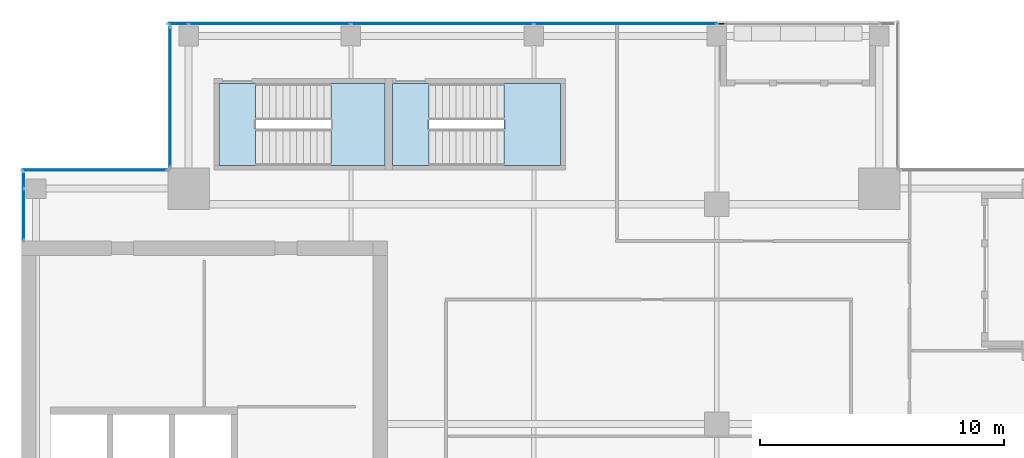
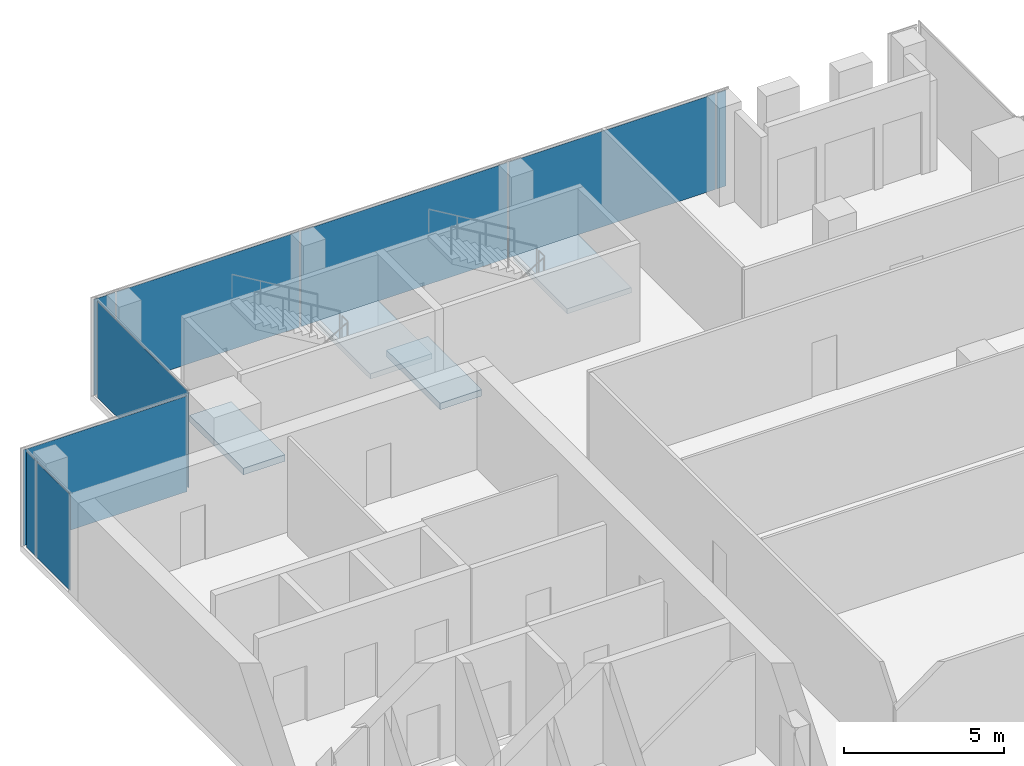
# One storey, part 23 of 29: 9 plates, 4 slabs, 6 elements without a shape of their own.
"""IFC4 building model written with IfcOpenShell, lengths in metres."""

from ifc_helpers import new_model, si_unit, direction, frame, origin, origin_2d, place, context, subcontext, project, spatial, polyline, rectangle, outline, extrude, source, transform, mapped, material, layer, layer_set, type_object, element, aggregate, save


model = new_model("IFC4")

# Units and contexts
model_context = context("Model", 3, precision=1e-05, world=origin(), true_north=direction((0.0, 1.0)))
body_context = subcontext(model_context, "Body", "Model", "MODEL_VIEW")
ifc_project = project(units=[si_unit("LENGTHUNIT", "METRE"), si_unit("AREAUNIT", "SQUARE_METRE"), si_unit("VOLUMEUNIT", "CUBIC_METRE"), si_unit("PLANEANGLEUNIT", "RADIAN"), si_unit("MASSUNIT", "GRAM", prefix="KILO")], contexts=[model_context])

# Site, building, storey
site_placement = place(None, origin())
site = spatial("IfcSite", under=ifc_project, at=site_placement, CompositionType="ELEMENT")
building_placement = place(site_placement, origin())
building = spatial("IfcBuilding", under=site, at=building_placement, Name="Khomas Fold Tower", CompositionType="ELEMENT")
storey_placement = place(building_placement, frame((0.0, 0.0, 310.199951171875)))
storey = spatial("IfcBuildingStorey", under=building, at=storey_placement, Name="L70", CompositionType="ELEMENT", Elevation=310.199951171875)

# Curtain wall, plate
ifc_material_1 = material(Name="Aluminium framed double glazing", Category="aluminium")
curtain_wall_type = type_object("IfcCurtainWallType", Name="SK-Unitised clear-glass wall, upper floors CW3", PredefinedType="NOTDEFINED", material=ifc_material_1)
curtain_wall_1_placement = place(storey_placement, origin())
curtain_wall_1 = element("IfcCurtainWall", 1, at=curtain_wall_1_placement, inside=storey, type_object=curtain_wall_type, Name="CW3 run L70 09-0", PredefinedType="NOTDEFINED")
ifc_material_2 = material(Name="Clear double glazed unit")
ifc_layer_1 = layer(ifc_material_2, 0.028076171875)
ifc_layer_set_1 = layer_set([ifc_layer_1], Name="Clear double glazed unit")
plate_type = type_object("IfcPlateType", Name="SK-Unitised clear-glass wall, upper floors glass panel CW3-P", PredefinedType="CURTAIN_PANEL", material=ifc_layer_set_1)
shared_shape_1 = source(origin(), body_context, "Body", "SweptSolid", [
    extrude(rectangle(XDim=0.574951171875, YDim=0.028076171875, at=origin_2d()), origin(), (0.0, 0.0, 1.0), 3.64990234375),
])
plate_1_placement = place(storey_placement, frame((6.10009765625, 41.46240234375, 0.0), z_axis=(0.0, 0.0, 1.0), x_axis=(0.0, -1.0, 0.0)))
plate_1 = element("IfcPlate", 2, at=plate_1_placement, type_object=plate_type, Name="CW3 glass panel 1", PredefinedType="CURTAIN_PANEL", context=body_context, shape_type="MappedRepresentation", body=[
    mapped(shared_shape_1, transform((0.0, 0.0, 0.0))),
])

# Curtain wall, plates
curtain_wall_2_placement = place(storey_placement, origin())
curtain_wall_2 = element("IfcCurtainWall", 3, at=curtain_wall_2_placement, inside=storey, type_object=curtain_wall_type, Name="CW3 run L70 06-1", PredefinedType="NOTDEFINED")
shared_shape_2 = source(origin(), body_context, "Body", "SweptSolid", [
    extrude(rectangle(XDim=6.60009765625, YDim=0.028076171875, at=origin_2d()), origin(), (0.0, 0.0, 1.0), 3.64990234375),
])
plate_2_placement = place(storey_placement, frame((16.175048828125, 47.89990234375, 0.0), z_axis=(0.0, 0.0, 1.0), x_axis=(-1.0, 0.0, 0.0)))
plate_2 = element("IfcPlate", 4, at=plate_2_placement, type_object=plate_type, Name="CW3 glass panel 4", PredefinedType="CURTAIN_PANEL", context=body_context, shape_type="MappedRepresentation", body=[
    mapped(shared_shape_2, transform((0.0, 0.0, 0.0))),
])
shared_shape_3 = source(origin(), body_context, "Body", "SweptSolid", [
    extrude(rectangle(XDim=7.449951171875, YDim=0.028076171875, at=origin_2d()), origin(), (0.0, 0.0, 1.0), 3.64990234375),
])
plate_3_placement = place(storey_placement, frame((30.75, 47.89990234375, 0.0), z_axis=(0.0, 0.0, 1.0), x_axis=(-1.0, 0.0, 0.0)))
plate_3 = element("IfcPlate", 5, at=plate_3_placement, type_object=plate_type, Name="CW3 glass panel 2", PredefinedType="CURTAIN_PANEL", context=body_context, shape_type="MappedRepresentation", body=[
    mapped(shared_shape_3, transform((0.0, 0.0, 0.0))),
])
plate_4_placement = place(storey_placement, frame((23.25, 47.89990234375, 0.0), z_axis=(0.0, 0.0, 1.0), x_axis=(-1.0, 0.0, 0.0)))
plate_4 = element("IfcPlate", 6, at=plate_4_placement, type_object=plate_type, Name="CW3 glass panel 3", PredefinedType="CURTAIN_PANEL", context=body_context, shape_type="MappedRepresentation", body=[
    mapped(shared_shape_3, transform((0.0, 0.0, 0.0))),
])
shared_shape_4 = source(origin(), body_context, "Body", "SweptSolid", [
    extrude(rectangle(XDim=0.77490234375, YDim=0.028076171875, at=origin_2d()), origin(), (0.0, 0.0, 1.0), 3.64990234375),
])
plate_5_placement = place(storey_placement, frame((12.4375, 47.89990234375, 0.0), z_axis=(0.0, 0.0, 1.0), x_axis=(-1.0, 0.0, 0.0)))
plate_5 = element("IfcPlate", 7, at=plate_5_placement, type_object=plate_type, Name="CW3 glass panel 5", PredefinedType="CURTAIN_PANEL", context=body_context, shape_type="MappedRepresentation", body=[
    mapped(shared_shape_4, transform((0.0, 0.0, 0.0))),
])

# Curtain wall, plate
curtain_wall_3_placement = place(storey_placement, origin())
curtain_wall_3 = element("IfcCurtainWall", 8, at=curtain_wall_3_placement, inside=storey, type_object=curtain_wall_type, Name="CW3 corner return L70 07", PredefinedType="NOTDEFINED")
shared_shape_5 = source(origin(), body_context, "Body", "SweptSolid", [
    extrude(rectangle(XDim=5.699951171875, YDim=0.028076171875, at=origin_2d()), origin(), (0.0, 0.0, 1.0), 3.64990234375),
])
plate_6_placement = place(storey_placement, frame((12.10009765625, 44.89990234375, 0.0), z_axis=(0.0, 0.0, 1.0), x_axis=(0.0, -1.0, 0.0)))
plate_6 = element("IfcPlate", 9, at=plate_6_placement, type_object=plate_type, Name="CW3 glass panel 1", PredefinedType="CURTAIN_PANEL", context=body_context, shape_type="MappedRepresentation", body=[
    mapped(shared_shape_5, transform((0.0, 0.0, 0.0))),
])
aggregate(curtain_wall_3, [plate_6])

curtain_wall_4_placement = place(storey_placement, origin())
curtain_wall_4 = element("IfcCurtainWall", 10, at=curtain_wall_4_placement, inside=storey, type_object=curtain_wall_type, Name="CW3 corner return L70 08", PredefinedType="NOTDEFINED")
shared_shape_6 = source(origin(), body_context, "Body", "SweptSolid", [
    extrude(rectangle(XDim=5.89990234375, YDim=0.028076171875, at=origin_2d()), origin(), (0.0, 0.0, 1.0), 3.64990234375),
])
plate_7_placement = place(storey_placement, frame((9.0, 41.89990234375, 0.0), z_axis=(0.0, 0.0, 1.0), x_axis=(-1.0, 0.0, 0.0)))
plate_7 = element("IfcPlate", 11, at=plate_7_placement, type_object=plate_type, Name="CW3 glass panel 1", PredefinedType="CURTAIN_PANEL", context=body_context, shape_type="MappedRepresentation", body=[
    mapped(shared_shape_6, transform((0.0, 0.0, 0.0))),
])
aggregate(curtain_wall_4, [plate_7])

# Plate
shared_shape_7 = source(origin(), body_context, "Body", "SweptSolid", [
    extrude(rectangle(XDim=0.324951171875, YDim=0.028076171875, at=origin_2d()), origin(), (0.0, 0.0, 1.0), 3.64990234375),
])
plate_8_placement = place(storey_placement, frame((34.6875, 47.89990234375, 0.0), z_axis=(0.0, 0.0, 1.0), x_axis=(-1.0, 0.0, 0.0)))
plate_8 = element("IfcPlate", 12, at=plate_8_placement, type_object=plate_type, Name="CW3 glass panel 1", PredefinedType="CURTAIN_PANEL", context=body_context, shape_type="MappedRepresentation", body=[
    mapped(shared_shape_7, transform((0.0, 0.0, 0.0))),
])

aggregate(curtain_wall_2, [plate_8, plate_3, plate_4, plate_2, plate_5])

shared_shape_8 = source(origin(), body_context, "Body", "SweptSolid", [
    extrude(rectangle(XDim=2.074951171875, YDim=0.028076171875, at=origin_2d()), origin(), (0.0, 0.0, 1.0), 3.64990234375),
])
plate_9_placement = place(storey_placement, frame((6.10009765625, 40.08740234375, 0.0), z_axis=(0.0, 0.0, 1.0), x_axis=(0.0, -1.0, 0.0)))
plate_9 = element("IfcPlate", 13, at=plate_9_placement, type_object=plate_type, Name="CW3 glass panel 2", PredefinedType="CURTAIN_PANEL", context=body_context, shape_type="MappedRepresentation", body=[
    mapped(shared_shape_8, transform((0.0, 0.0, 0.0))),
])

aggregate(curtain_wall_1, [plate_1, plate_9])

# Stair, slab
ifc_material_3 = material(Name="Concrete C40/50", Category="concrete")
stair_type_1 = type_object("IfcStairType", Name="Stair ST1", PredefinedType="HALF_TURN_STAIR", material=ifc_material_3)
stair_1_placement = place(storey_placement, origin())
stair_1 = element("IfcStair", 14, at=stair_1_placement, inside=storey, type_object=stair_type_1, Name="L70 ST1", PredefinedType="HALF_TURN_STAIR")
ifc_material_4 = material(Name="Concrete C40/50", Category="concrete")
ifc_layer_2 = layer(ifc_material_4, 0.199951171875)
ifc_layer_set_2 = layer_set([ifc_layer_2], Name="Concrete C40/50")
slab_type_1 = type_object("IfcSlabType", Name="Stair landing 200", PredefinedType="LANDING", material=ifc_layer_set_2)
shared_shape_9 = source(origin(), body_context, "Body", "SweptSolid", [
    extrude(outline(polyline([(18.679931640625, 42.10009765625), (20.89990234375, 42.10009765625), (20.89990234375, 45.449951171875), (18.679931640625, 45.449951171875), (18.679931640625, 42.10009765625)])), origin(), (0.0, 0.0, 1.0), 0.199951171875),
])
slab_1_placement = place(storey_placement, frame((0.0, 0.0, 1.800048828125)))
slab_1 = element("IfcSlab", 15, at=slab_1_placement, type_object=slab_type_1, Name="ST1 landing 1", PredefinedType="LANDING", context=body_context, shape_type="MappedRepresentation", body=[
    mapped(shared_shape_9, transform((0.0, 0.0, 0.0))),
])
aggregate(stair_1, [slab_1])

# Slab
ifc_material_5 = material(Name="Concrete C40/50", Category="concrete")
ifc_layer_3 = layer(ifc_material_5, 0.25)
ifc_layer_set_3 = layer_set([ifc_layer_3], Name="Concrete C40/50")
slab_type_2 = type_object("IfcSlabType", Name="Stair floor landing 250", PredefinedType="LANDING", material=ifc_layer_set_3)
shared_shape_10 = source(origin(), body_context, "Body", "SweptSolid", [
    extrude(outline(polyline([(15.60009765625, 42.10009765625), (14.10009765625, 42.10009765625), (14.10009765625, 45.449951171875), (15.60009765625, 45.449951171875), (15.60009765625, 42.10009765625)])), origin(), (0.0, 0.0, 1.0), 0.25),
])
slab_2_placement = place(storey_placement, frame((0.0, 0.0, -0.25)))
element("IfcSlab", 16, at=slab_2_placement, inside=storey, type_object=slab_type_2, Name="ST1 floor landing", PredefinedType="LANDING", context=body_context, shape_type="MappedRepresentation", body=[
    mapped(shared_shape_10, transform((0.0, 0.0, 0.0))),
])

# Stair, slab
ifc_material_6 = material(Name="Concrete C40/50", Category="concrete")
stair_type_2 = type_object("IfcStairType", Name="Stair ST3", PredefinedType="HALF_TURN_STAIR", material=ifc_material_6)
stair_2_placement = place(storey_placement, origin())
stair_2 = element("IfcStair", 17, at=stair_2_placement, inside=storey, type_object=stair_type_2, Name="L70 ST3", PredefinedType="HALF_TURN_STAIR")
shared_shape_11 = source(origin(), body_context, "Body", "SweptSolid", [
    extrude(outline(polyline([(25.780029296875, 42.10009765625), (28.10009765625, 42.10009765625), (28.10009765625, 45.449951171875), (25.780029296875, 45.449951171875), (25.780029296875, 42.10009765625)])), origin(), (0.0, 0.0, 1.0), 0.199951171875),
])
slab_3_placement = place(storey_placement, frame((0.0, 0.0, 1.800048828125)))
slab_3 = element("IfcSlab", 18, at=slab_3_placement, type_object=slab_type_1, Name="ST3 landing 1", PredefinedType="LANDING", context=body_context, shape_type="MappedRepresentation", body=[
    mapped(shared_shape_11, transform((0.0, 0.0, 0.0))),
])
aggregate(stair_2, [slab_3])

# Slab
shared_shape_12 = source(origin(), body_context, "Body", "SweptSolid", [
    extrude(outline(polyline([(22.699951171875, 42.10009765625), (21.199951171875, 42.10009765625), (21.199951171875, 45.449951171875), (22.699951171875, 45.449951171875), (22.699951171875, 42.10009765625)])), origin(), (0.0, 0.0, 1.0), 0.25),
])
slab_4_placement = place(storey_placement, frame((0.0, 0.0, -0.25)))
element("IfcSlab", 19, at=slab_4_placement, inside=storey, type_object=slab_type_2, Name="ST3 floor landing", PredefinedType="LANDING", context=body_context, shape_type="MappedRepresentation", body=[
    mapped(shared_shape_12, transform((0.0, 0.0, 0.0))),
])

save(model, "model.ifc")
